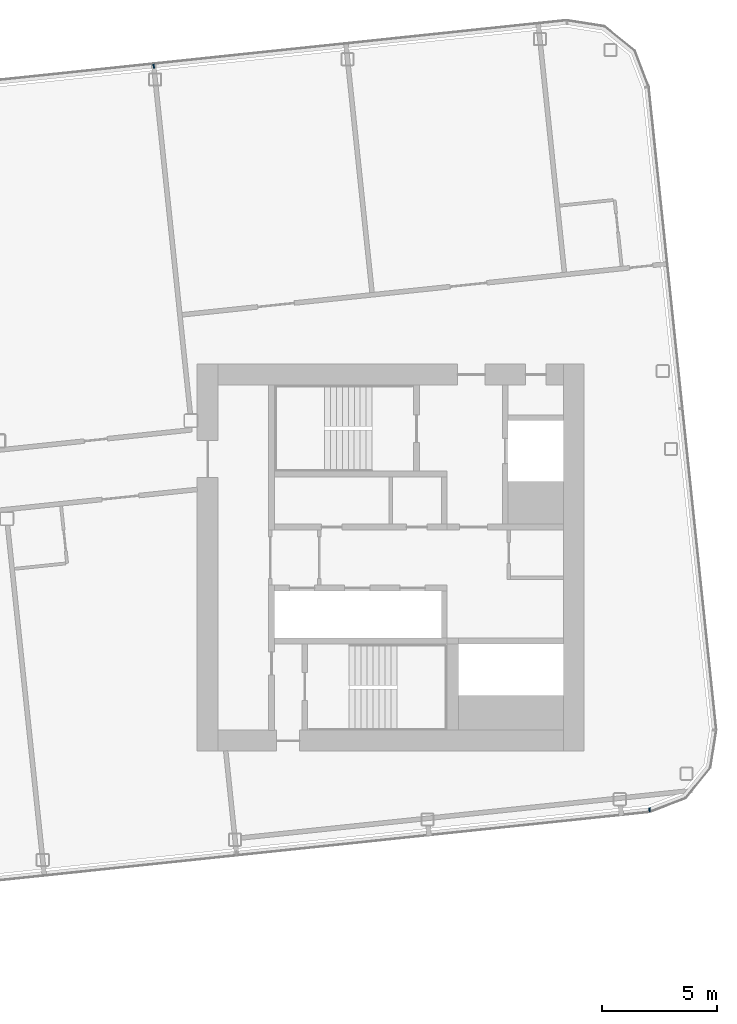
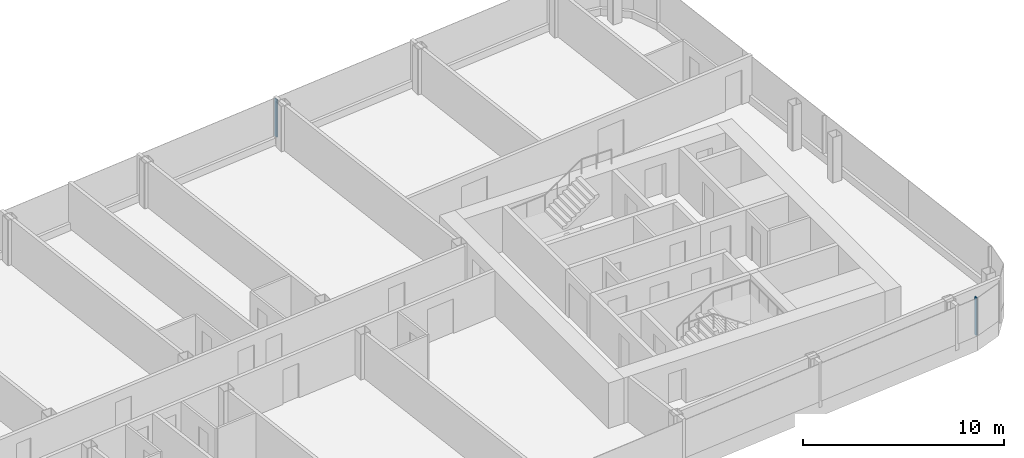
# One storey, part 11 of 27: 2 members, 2 elements without a shape of their own.
"""IFC4 building model written with IfcOpenShell, lengths in metres."""

from ifc_helpers import new_model, si_unit, direction, frame, origin, origin_2d, place, context, subcontext, project, spatial, rectangle, extrude, material, layer, layer_set, material_profile, profile_set, type_object, element, aggregate, save


model = new_model("IFC4")

# Units and contexts
model_context = context("Model", 3, precision=1e-05, world=origin(), true_north=direction((0.0, 1.0)))
body_context = subcontext(model_context, "Body", "Model", "MODEL_VIEW")
ifc_project = project(units=[si_unit("LENGTHUNIT", "METRE"), si_unit("AREAUNIT", "SQUARE_METRE"), si_unit("VOLUMEUNIT", "CUBIC_METRE"), si_unit("PLANEANGLEUNIT", "RADIAN"), si_unit("MASSUNIT", "GRAM", prefix="KILO")], contexts=[model_context])

# Site, building, storey
site_placement = place(None, origin())
site = spatial("IfcSite", under=ifc_project, at=site_placement, CompositionType="ELEMENT")
building_placement = place(site_placement, origin())
building = spatial("IfcBuilding", under=site, at=building_placement, Name="Hakoniwa Tower and Hamabe Station Hall", CompositionType="ELEMENT")
storey_placement = place(building_placement, frame((0.0, 0.0, 242.199951171875)))
storey = spatial("IfcBuildingStorey", under=building, at=storey_placement, Name="L68", CompositionType="ELEMENT", Elevation=242.199951171875)

# Curtain wall, member
ifc_material_1 = material(Name="Dark low-e laminated glass", Category="glass")
ifc_layer = layer(ifc_material_1, 0.199951171875)
ifc_layer_set = layer_set([ifc_layer], Name="CW-1 UNITISED GUEST")
curtain_wall_type = type_object("IfcCurtainWallType", Name="CW-1 UNITISED GUEST", PredefinedType="NOTDEFINED", material=ifc_layer_set)
curtain_wall_1_placement = place(storey_placement, origin())
curtain_wall_1 = element("IfcCurtainWall", 1, at=curtain_wall_1_placement, inside=storey, type_object=curtain_wall_type, Name="CW-1 curtain wall", PredefinedType="NOTDEFINED")
ifc_material_2 = material(Name="Aluminium 6063-T5 black anodised", Category="aluminium")
ifc_material_profile = material_profile(ifc_material_2, rectangle(XDim=0.06005859375, YDim=0.179931640625, at=origin_2d()), Name="CW-1 MULLION 60X180")
ifc_profile_set = profile_set([ifc_material_profile], Name="Aluminium 6063-T5 black anodised")
member_type = type_object("IfcMemberType", Name="CW-1 MULLION 60X180", PredefinedType="MULLION", material=ifc_profile_set)
member_1_placement = place(storey_placement, frame((14.911865234375, 21.343994140625, 0.35009765625), z_axis=(0.0, 0.0, 1.0), x_axis=(-0.994521895272, -0.104528464188, 0.0)))
member_1 = element("IfcMember", 2, at=member_1_placement, type_object=member_type, Name="CW-1 mullion", PredefinedType="MULLION", context=body_context, shape_type="SweptSolid", body=[
    extrude(rectangle(XDim=0.06005859375, YDim=0.179931640625, at=origin_2d()), origin(), (0.0, 0.0, 1.0), 2.300048828125),
])
aggregate(curtain_wall_1, [member_1])

curtain_wall_2_placement = place(storey_placement, origin())
curtain_wall_2 = element("IfcCurtainWall", 3, at=curtain_wall_2_placement, inside=storey, type_object=curtain_wall_type, Name="CW-1 curtain wall", PredefinedType="NOTDEFINED")
member_2_placement = place(storey_placement, frame((36.444580078125, -10.946044921875, 0.35009765625), z_axis=(0.0, 0.0, 1.0), x_axis=(0.994521895272, 0.104528464188, 0.0)))
member_2 = element("IfcMember", 4, at=member_2_placement, type_object=member_type, Name="CW-1 mullion", PredefinedType="MULLION", context=body_context, shape_type="SweptSolid", body=[
    extrude(rectangle(XDim=0.06005859375, YDim=0.179931640625, at=origin_2d()), origin(), (0.0, 0.0, 1.0), 2.300048828125),
])
aggregate(curtain_wall_2, [member_2])

save(model, "model.ifc")
